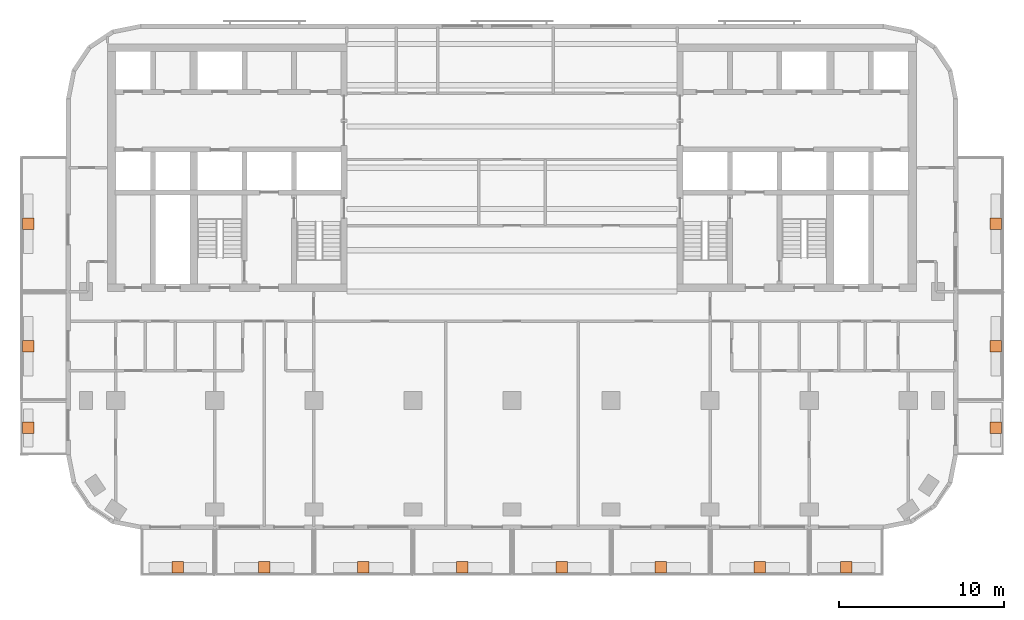
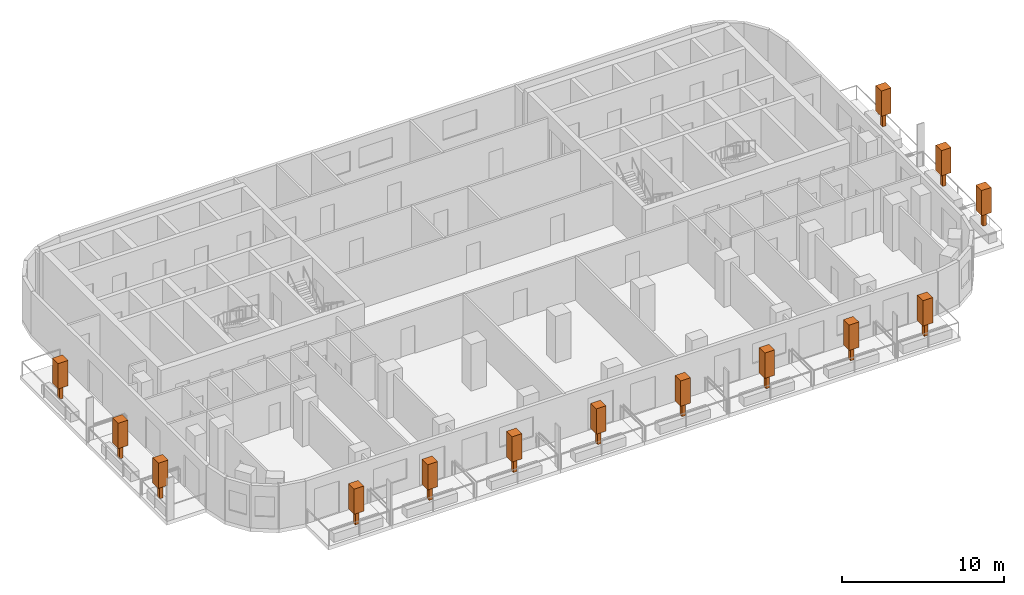
# One storey, part 11 of 11: 14 geographic elements.
"""IFC4 building model written with IfcOpenShell, lengths in metres."""

from ifc_helpers import new_model, si_unit, direction, frame, origin, origin_2d, place, context, subcontext, project, spatial, rectangle, extrude, material, element, save


model = new_model("IFC4")

# Units and contexts
model_context = context("Model", 3, precision=1e-05, world=origin(), true_north=direction((0.0, 1.0)))
body_context = subcontext(model_context, "Body", "Model", "MODEL_VIEW")
ifc_project = project(units=[si_unit("LENGTHUNIT", "METRE"), si_unit("AREAUNIT", "SQUARE_METRE"), si_unit("VOLUMEUNIT", "CUBIC_METRE"), si_unit("PLANEANGLEUNIT", "RADIAN"), si_unit("MASSUNIT", "GRAM", prefix="KILO")], contexts=[model_context])

# Site, building, storey
site_placement = place(None, origin())
site = spatial("IfcSite", under=ifc_project, at=site_placement, CompositionType="ELEMENT")
building_placement = place(site_placement, origin())
building = spatial("IfcBuilding", under=site, at=building_placement, Name="Torana Hotel and Residences", CompositionType="ELEMENT")
storey_placement = place(building_placement, frame((0.0, 0.0, 187.10009765625)))
storey = spatial("IfcBuildingStorey", under=building, at=storey_placement, Name="L48", CompositionType="ELEMENT", Elevation=187.10009765625)

# Geographic elements
ifc_material = material(Name="Foliage", Category="planting")
for number, where, z_axis, x_axis, name in (
    (1, (-20.25, -31.699951171875, 0.64990234375), (0.0, 0.0, 1.0), (1.0, 0.0, 0.0), "Tree 01"),
    (2, (-15.0, -31.699951171875, 0.64990234375), (0.0, 0.0, 1.0), (1.0, 0.0, 0.0), "Tree 02"),
    (3, (-9.0, -31.699951171875, 0.64990234375), (0.0, 0.0, 1.0), (1.0, 0.0, 0.0), "Tree 03"),
    (4, (-3.0, -31.699951171875, 0.64990234375), (0.0, 0.0, 1.0), (1.0, 0.0, 0.0), "Tree 04"),
    (5, (3.0, -31.699951171875, 0.64990234375), (0.0, 0.0, 1.0), (1.0, 0.0, 0.0), "Tree 05"),
    (6, (9.0, -31.699951171875, 0.64990234375), (0.0, 0.0, 1.0), (1.0, 0.0, 0.0), "Tree 06"),
    (7, (15.0, -31.699951171875, 0.64990234375), (0.0, 0.0, 1.0), (1.0, 0.0, 0.0), "Tree 07"),
    (8, (20.25, -31.699951171875, 0.64990234375), (0.0, 0.0, 1.0), (1.0, 0.0, 0.0), "Tree 08"),
    (9, (-29.300048828125, -23.25, 0.64990234375), (0.0, 0.0, 1.0), (1.0, 0.0, 0.0), "Tree 09"),
    (10, (-29.300048828125, -18.300048828125, 0.64990234375), (0.0, 0.0, 1.0), (1.0, 0.0, 0.0), "Tree 10"),
    (11, (-29.300048828125, -10.89990234375, 0.64990234375), (0.0, 0.0, 1.0), (1.0, 0.0, 0.0), "Tree 11"),
    (12, (29.300048828125, -23.25, 0.64990234375), (0.0, 0.0, 1.0), (1.0, 0.0, 0.0), "Tree 12"),
    (13, (29.300048828125, -18.300048828125, 0.64990234375), (0.0, 0.0, 1.0), (1.0, 0.0, 0.0), "Tree 13"),
    (14, (29.300048828125, -10.89990234375, 0.64990234375), (0.0, 0.0, 1.0), (1.0, 0.0, 0.0), "Tree 14"),
):
    element("IfcGeographicElement", number, at=place(storey_placement, frame(where, z_axis=z_axis, x_axis=x_axis)), inside=storey, material=ifc_material, Name=name, ObjectType="TREE", PredefinedType="USERDEFINED", context=body_context, shape_type="SweptSolid", body=[
        extrude(rectangle(XDim=0.25, YDim=0.25, at=origin_2d()), origin(), (0.0, 0.0, 1.0), 1.0),
        extrude(rectangle(XDim=0.699951171875, YDim=0.699951171875, at=origin_2d()), frame((0.0, 0.0, 1.0)), (0.0, 0.0, 1.0), 1.89990234375),
    ])

save(model, "model.ifc")
